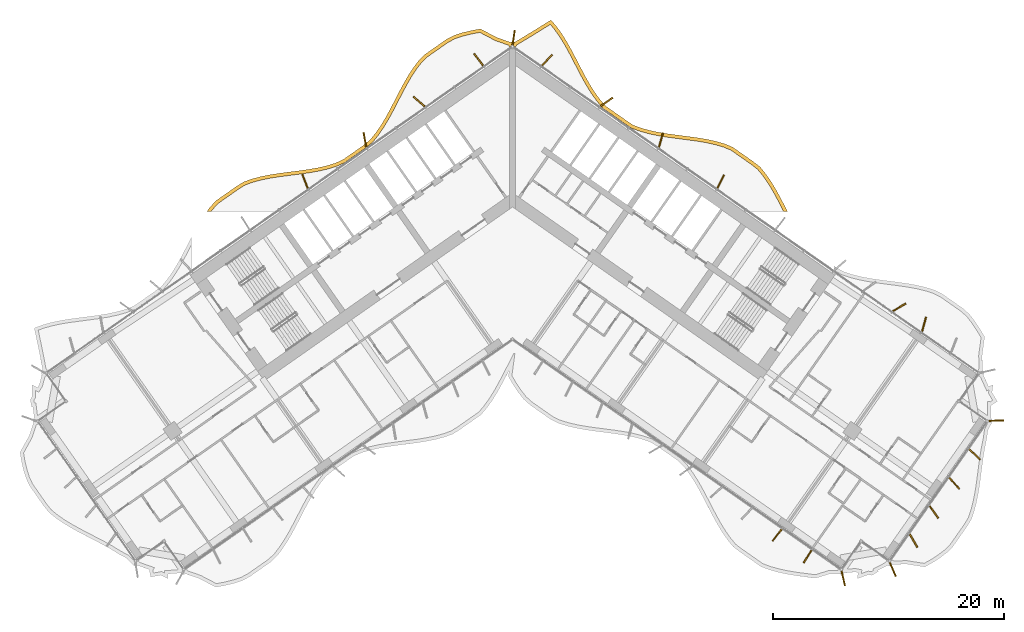
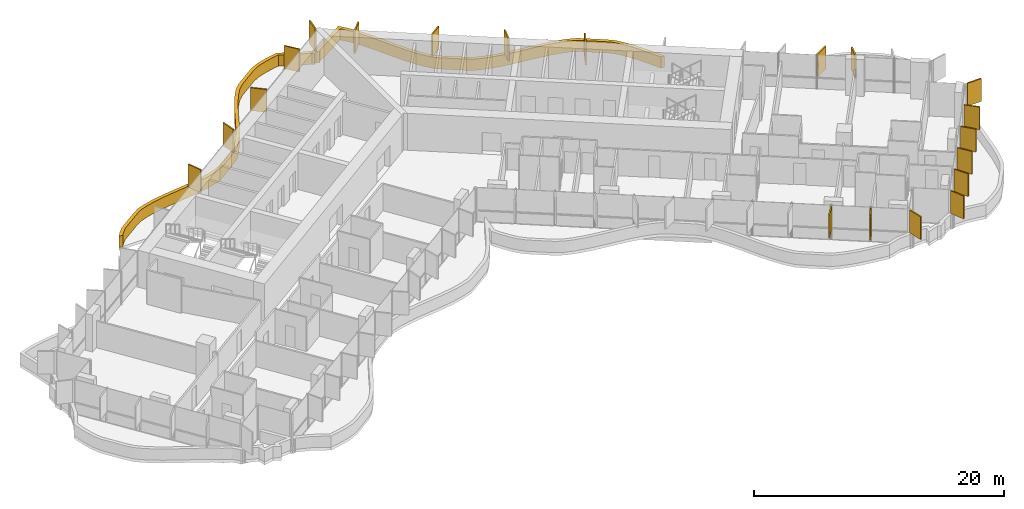
# One storey, part 22 of 23: 21 shading devices.
"""IFC4 building model written with IfcOpenShell, lengths in metres."""

from ifc_helpers import new_model, si_unit, direction, frame, origin, origin_2d, place, context, subcontext, project, spatial, polyline, rectangle, outline, extrude, material, layer, layer_set, type_object, element, save


model = new_model("IFC4")

# Units and contexts
model_context = context("Model", 3, precision=1e-05, world=origin(), true_north=direction((0.0, 1.0)))
body_context = subcontext(model_context, "Body", "Model", "MODEL_VIEW")
ifc_project = project(units=[si_unit("LENGTHUNIT", "METRE"), si_unit("AREAUNIT", "SQUARE_METRE"), si_unit("VOLUMEUNIT", "CUBIC_METRE"), si_unit("PLANEANGLEUNIT", "RADIAN"), si_unit("MASSUNIT", "GRAM", prefix="KILO")], contexts=[model_context])

# Site, building, storey
site_placement = place(None, origin())
site = spatial("IfcSite", under=ifc_project, at=site_placement, CompositionType="ELEMENT")
building_placement = place(site_placement, origin())
building = spatial("IfcBuilding", under=site, at=building_placement, Name="Tel Ilan Convention Tower", CompositionType="ELEMENT")
storey_placement = place(building_placement, frame((0.0, 0.0, 115.699951171875)))
storey = spatial("IfcBuildingStorey", under=building, at=storey_placement, Name="L25", CompositionType="ELEMENT", Elevation=115.699951171875)

# Shading devices
ifc_material_1 = material(Name="Aluminium, bronze anodised", Category="aluminium")
ifc_layer_1 = layer(ifc_material_1, 0.1201171875)
ifc_layer_set_1 = layer_set([ifc_layer_1], Name="FIN BRONZE 1300x120")
shading_device_type_1 = type_object("IfcShadingDeviceType", Name="FIN BRONZE 1300x120", PredefinedType="USERDEFINED", material=ifc_layer_set_1)
for number, where, z_axis, x_axis, name in (
    (1, (18.054931640625, 0.97119140625, 1.10009765625), (0.0, 0.0, 1.0), (0.448799180206, 0.893632640321, 0.0), "FIN"),
    (2, (12.8701171875, 4.578369140625, 1.10009765625), (0.0, 0.0, 1.0), (0.268172612768, 0.963370878614, 0.0), "FIN"),
    (3, (8.150634765625, 7.883056640625, 1.10009765625), (0.0, 0.0, 1.0), (0.813552070258, 0.581492071294, 0.0), "FIN"),
    (4, (2.98779296875, 11.521240234375, 1.10009765625), (0.0, 0.0, 1.0), (0.686241637865, 0.727373641577, 0.0), "FIN"),
    (5, (0.09423828125, 13.469482421875, 1.10009765625), (0.0, 0.0, 1.0), (0.144931859301, 0.989441638582, 0.0), "FIN"),
    (6, (-2.9365234375, 11.557373046875, 1.10009765625), (0.0, 0.0, 1.0), (-0.612600545196, 0.790392669516, 0.0), "FIN"),
    (7, (-8.1083984375, 7.927734375, 1.10009765625), (0.0, 0.0, 1.0), (-0.753435896329, 0.657521368568, 0.0), "FIN"),
    (8, (-12.811767578125, 4.5966796875, 1.10009765625), (0.0, 0.0, 1.0), (-0.173648177667, 0.984807753012, 0.0), "FIN"),
    (9, (-18.00048828125, 1.001220703125, 1.10009765625), (0.0, 0.0, 1.0), (-0.360177724803, 0.932883704733, 0.0), "FIN"),
    (10, (22.9560546875, -29.6875, 1.10009765625), (0.0, 0.0, 1.0), (-0.612600545196, -0.790392669516, 0.0), "FIN"),
    (11, (25.6025390625, -31.540771484375, 1.10009765625), (0.0, 0.0, 1.0), (-0.533204432798, -0.845986425922, 0.0), "FIN"),
    (12, (28.68994140625, -33.4423828125, 1.10009765625), (0.0, 0.0, 1.0), (0.221170268371, -0.975235208752, 0.0), "FIN"),
    (13, (32.989501953125, -32.67724609375, 1.10009765625), (0.0, 0.0, 1.0), (0.404964282034, -0.914332505315, 0.0), "FIN"),
    (14, (34.7900390625, -30.18896484375, 1.10009765625), (0.0, 0.0, 1.0), (0.5, -0.866025403784, 0.0), "FIN"),
    (15, (36.559326171875, -27.6943359375, 1.10009765625), (0.0, 0.0, 1.0), (0.581492071294, -0.813552070258, 0.0), "FIN"),
    (16, (38.32470703125, -25.194580078125, 1.10009765625), (0.0, 0.0, 1.0), (0.657521368568, -0.753435896329, 0.0), "FIN"),
    (17, (40.086181640625, -22.690185546875, 1.10009765625), (0.0, 0.0, 1.0), (0.727373641577, -0.686241637865, 0.0), "FIN"),
    (18, (41.9853515625, -19.76171875, 1.10009765625), (0.0, 0.0, 1.0), (0.999576950082, 0.029084718749, 0.0), "FIN"),
    (19, (35.702392578125, -11.408935546875, 1.10009765625), (0.0, 0.0, 1.0), (0.268172612768, 0.963370878614, 0.0), "FIN"),
    (20, (33.55712890625, -9.929443359375, 1.10009765625), (0.0, 0.0, 1.0), (0.866025403784, 0.5, 0.0), "FIN"),
):
    element("IfcShadingDevice", number, at=place(storey_placement, frame(where, z_axis=z_axis, x_axis=x_axis)), inside=storey, type_object=shading_device_type_1, Name=name, ObjectType="FIN", PredefinedType="USERDEFINED", context=body_context, shape_type="SweptSolid", body=[
        extrude(rectangle(XDim=1.300048828125, YDim=0.1201171875, at=origin_2d()), origin(), (0.0, 0.0, 1.0), 2.219970703125),
    ])
ifc_material_2 = material(Name="Aluminium, bronze anodised", Category="aluminium")
ifc_layer_2 = layer(ifc_material_2, 0.300048828125)
ifc_layer_set_2 = layer_set([ifc_layer_2], Name="LOUVRE BAND 300x1100")
shading_device_type_2 = type_object("IfcShadingDeviceType", Name="LOUVRE BAND 300x1100", PredefinedType="USERDEFINED", material=ifc_layer_set_2)
shading_device_placement = place(storey_placement, origin())
element("IfcShadingDevice", 21, at=shading_device_placement, inside=storey, type_object=shading_device_type_2, Name="LOUVRE BAND 20.02", ObjectType="LOUVRE", PredefinedType="USERDEFINED", context=body_context, shape_type="SweptSolid", body=[
    extrude(outline(polyline([(-26.25927734375, -1.2568359375), (-26.53369140625, -1.631591796875), (-26.161865234375, -1.631591796875), (-26.0263671875, -1.44677734375), (-25.550048828125, -0.921630859375), (-23.767333984375, 0.32666015625), (-23.172119140625, 0.69384765625), (-22.488037109375, 0.931884765625), (-21.74560546875, 1.12646484375), (-20.9677734375, 1.28076171875), (-20.1630859375, 1.405517578125), (-18.510009765625, 1.619140625), (-17.68115234375, 1.73583984375), (-16.864013671875, 1.8779296875), (-16.0673828125, 2.058837890625), (-15.293212890625, 2.292236328125), (-14.563232421875, 2.620849609375), (-12.711669921875, 3.91748046875), (-12.110595703125, 4.42333984375), (-11.60400390625, 5.05859375), (-11.148193359375, 5.729736328125), (-10.724853515625, 6.43798828125), (-10.325439453125, 7.1708984375), (-9.557861328125, 8.65576171875), (-9.169921875, 9.37939453125), (-8.76708984375, 10.072509765625), (-8.3408203125, 10.72265625), (-7.890380859375, 11.3125), (-7.3837890625, 11.798583984375), (-5.60009765625, 13.047607421875), (-4.982177734375, 13.37744140625), (-4.2822265625, 13.604248046875), (-3.5302734375, 13.78759765625), (-2.8408203125, 13.914306640625), (-1.48388671875, 13.200927734375), (-0.362060546875, 12.812255859375), (-0.24609375, 12.646728515625), (0.0, 12.818115234375), (0.24609375, 12.646728515625), (0.38134765625, 12.839599609375), (1.88916015625, 13.747314453125), (3.271728515625, 14.607177734375), (3.593017578125, 14.232666015625), (4.037353515625, 13.614990234375), (4.454345703125, 12.947998046875), (4.8505859375, 12.2421875), (6.0068359375, 10.025390625), (6.4140625, 9.2998046875), (6.84814453125, 8.603759765625), (7.318115234375, 7.94921875), (7.845947265625, 7.3291015625), (9.697021484375, 6.0283203125), (10.3486328125, 5.60009765625), (11.1142578125, 5.323974609375), (11.8935546875, 5.112060546875), (12.69873046875, 4.94677734375), (13.521240234375, 4.815673828125), (15.99755859375, 4.4873046875), (16.79345703125, 4.35302734375), (17.559326171875, 4.18505859375), (18.284423828125, 3.97412109375), (18.94091796875, 3.7060546875), (20.723876953125, 2.457763671875), (21.272216796875, 2.02392578125), (21.729736328125, 1.462646484375), (22.166748046875, 0.83154296875), (22.57763671875, 0.153564453125), (22.97021484375, -0.56005859375), (23.52587890625, -1.631591796875), (23.86328125, -1.631591796875), (23.23486328125, -0.41845703125), (22.837646484375, 0.303466796875), (22.418701171875, 0.99462890625), (21.9697265625, 1.64306640625), (21.484130859375, 2.239013671875), (20.903076171875, 2.698486328125), (19.08544921875, 3.97119140625), (18.38330078125, 4.2578125), (17.63330078125, 4.47607421875), (16.8505859375, 4.647705078125), (16.043212890625, 4.783935546875), (13.564697265625, 5.112548828125), (12.75244140625, 5.241943359375), (11.963134765625, 5.404052734375), (11.20458984375, 5.610107421875), (10.483642578125, 5.8701171875), (9.865478515625, 6.276611328125), (8.050048828125, 7.55224609375), (7.5546875, 8.134033203125), (7.09765625, 8.770751953125), (6.672119140625, 9.452880859375), (6.2705078125, 10.168701171875), (5.1142578125, 12.385498046875), (4.71240234375, 13.100830078125), (4.28662109375, 13.7822265625), (3.8291015625, 14.418212890625), (3.331787109375, 14.997802734375), (1.732666015625, 14.003173828125), (0.168701171875, 13.059326171875), (0.11474609375, 13.09521484375), (0.0, 13.1181640625), (-0.11474609375, 13.09521484375), (-0.168701171875, 13.059326171875), (-1.3642578125, 13.47705078125), (-2.79296875, 14.228271484375), (-3.593017578125, 14.0810546875), (-4.364013671875, 13.89306640625), (-5.099853515625, 13.654541015625), (-5.75732421875, 13.3037109375), (-7.57470703125, 12.031005859375), (-8.11474609375, 11.512939453125), (-8.585693359375, 10.896240234375), (-9.022216796875, 10.230224609375), (-9.431884765625, 9.52587890625), (-9.823486328125, 8.79541015625), (-10.59033203125, 7.311767578125), (-10.985595703125, 6.586669921875), (-11.401123046875, 5.89111328125), (-11.845703125, 5.236572265625), (-12.326416015625, 4.633544921875), (-12.89453125, 4.155517578125), (-14.712158203125, 2.8828125), (-15.398681640625, 2.573974609375), (-16.14404296875, 2.34912109375), (-16.923095703125, 2.172119140625), (-17.727783203125, 2.0322265625), (-18.5498046875, 1.91650390625), (-20.20556640625, 1.70263671875), (-21.02001953125, 1.576171875), (-21.812744140625, 1.4189453125), (-22.57568359375, 1.218994140625), (-23.301513671875, 0.96630859375), (-23.93212890625, 0.577392578125), (-25.749755859375, -0.695068359375), (-26.25927734375, -1.2568359375)])), origin(), (0.0, 0.0, 1.0), 1.10009765625),
])

save(model, "model.ifc")
